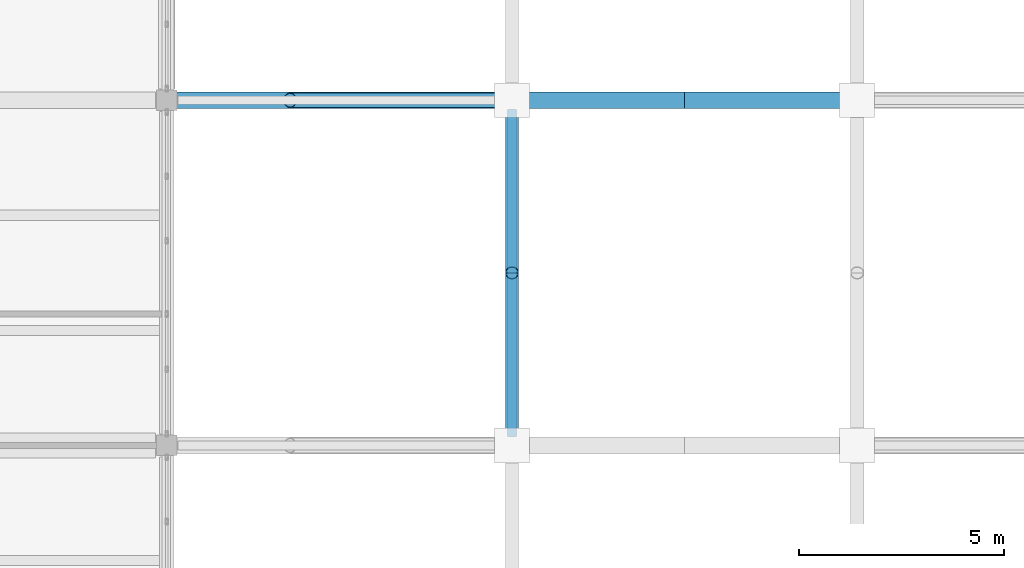
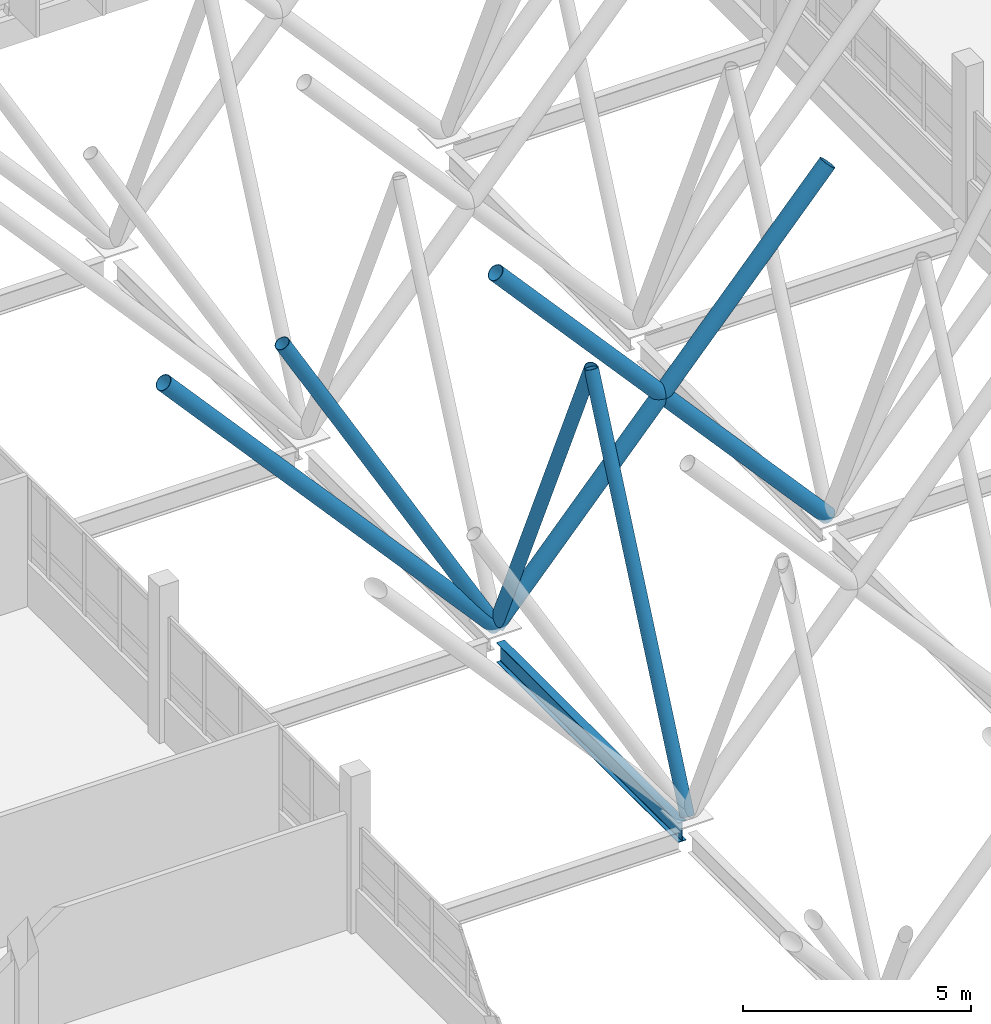
# One storey, part 25 of 107: 6 members, 1 beam.
"""IFC4 building model written with IfcOpenShell, lengths in metres."""

from ifc_helpers import new_model, si_unit, direction, frame, origin, origin_2d, place, context, subcontext, project, spatial, hollow_circle, i_section, extrude, material, material_profile, profile_set, type_object, element, save


model = new_model("IFC4")

# Units and contexts
model_context = context("Model", 3, precision=1e-05, world=origin(), true_north=direction((0.0, 1.0)))
body_context = subcontext(model_context, "Body", "Model", "MODEL_VIEW")
ifc_project = project(units=[si_unit("LENGTHUNIT", "METRE"), si_unit("AREAUNIT", "SQUARE_METRE"), si_unit("VOLUMEUNIT", "CUBIC_METRE"), si_unit("PLANEANGLEUNIT", "RADIAN"), si_unit("MASSUNIT", "GRAM", prefix="KILO")], contexts=[model_context])

# Site, building, storey
site_placement = place(None, origin())
site = spatial("IfcSite", under=ifc_project, at=site_placement, CompositionType="ELEMENT")
building_placement = place(site_placement, origin())
building = spatial("IfcBuilding", under=site, at=building_placement, Name="Vireocrest Preparatory School", CompositionType="ELEMENT")
storey_placement = place(building_placement, frame((0.0, 0.0, 13.199951171875)))
storey = spatial("IfcBuildingStorey", under=building, at=storey_placement, Name="L03", CompositionType="ELEMENT", Elevation=13.199951171875)

# Beam
ifc_material_1 = material(Name="Structural steel ASTM A992 Grade 50", Category="steel")
ifc_material_profile_1 = material_profile(ifc_material_1, i_section(OverallWidth=0.208984375, OverallDepth=0.532958984375, WebThickness=0.01025390625, FlangeThickness=0.015625, FilletRadius=0.014892578125, at=origin_2d()), Name="W21X62")
ifc_profile_set_1 = profile_set([ifc_material_profile_1], Name="Structural steel ASTM A992 Grade 50")
beam_type = type_object("IfcBeamType", Name="Court Tie Girder W21X62", PredefinedType="BEAM", material=ifc_profile_set_1)
beam_placement = place(storey_placement, frame((75.60009765625, 60.820068359375, -0.56640625), z_axis=(0.0, 1.0, 0.0), x_axis=(-1.0, 0.0, 0.0)))
element("IfcBeam", 1, at=beam_placement, inside=storey, type_object=beam_type, Name="Court Trunk Spine Girder SB5 W5 L03", PredefinedType="BEAM", context=body_context, shape_type="SweptSolid", body=[
    extrude(i_section(OverallWidth=0.208984375, OverallDepth=0.532958984375, WebThickness=0.01025390625, FlangeThickness=0.015625, FilletRadius=0.014892578125, at=origin_2d()), origin(), (0.0, 0.0, 1.0), 7.9599609375),
])

# Members
ifc_material_2 = material(Name="Painted white steel ASTM A500 Grade C", Category="steel")
ifc_material_profile_2 = material_profile(ifc_material_2, hollow_circle(Radius=0.161865234375, WallThickness=0.0126953125, at=origin_2d()), Name="HSS12.750X0.500")
ifc_profile_set_2 = profile_set([ifc_material_profile_2], Name="Painted white steel ASTM A500 Grade C")
member_type_1 = type_object("IfcMemberType", Name="White Steel Canopy Tie Strut HSS12.750X0.500", PredefinedType="USERDEFINED", material=ifc_profile_set_2)
for number, where, z_axis, x_axis, name in (
    (2, (75.60009765625, 60.60009765625, -0.0048828125), (0.0, 0.407216567456, 0.913331630455), (-1.0, 0.0, 0.0), "Longitudinal V-Strut VS2 W5-N"),
    (3, (75.60009765625, 69.0, -0.0048828125), (0.0, -0.407216567456, 0.913331630455), (1.0, 0.0, 0.0), "Longitudinal V-Strut VS2 W6-S"),
):
    element("IfcMember", number, at=place(storey_placement, frame(where, z_axis=z_axis, x_axis=x_axis)), inside=storey, type_object=member_type_1, Name=name, ObjectType="STRUT", PredefinedType="USERDEFINED", context=body_context, shape_type="SweptSolid", body=[
        extrude(hollow_circle(Radius=0.161865234375, WallThickness=0.0126953125, at=origin_2d()), origin(), (0.0, 0.0, 1.0), 10.313720703125),
    ])
ifc_material_profile_3 = material_profile(ifc_material_2, hollow_circle(Radius=0.177734375, WallThickness=0.0126953125, at=origin_2d()), Name="HSS14.000X0.500")
ifc_profile_set_3 = profile_set([ifc_material_profile_3], Name="Painted white steel ASTM A500 Grade C")
member_type_2 = type_object("IfcMemberType", Name="White Steel Canopy V-Strut HSS14.000X0.500", PredefinedType="USERDEFINED", material=ifc_profile_set_3)
member_placement = place(storey_placement, frame((75.60009765625, 69.0, -0.010009765625), z_axis=(-0.496934732374, 0.0, 0.867787918653), x_axis=(0.0, -1.0, 0.0)))
element("IfcMember", 4, at=member_placement, inside=storey, type_object=member_type_2, Name="White Steel V-Strut VS1 W6", ObjectType="STRUT", PredefinedType="USERDEFINED", context=body_context, shape_type="SweptSolid", body=[
    extrude(hollow_circle(Radius=0.177734375, WallThickness=0.0126953125, at=origin_2d()), origin(), (0.0, 0.0, 1.0), 10.866943359375),
])
ifc_material_profile_4 = material_profile(ifc_material_2, hollow_circle(Radius=0.203125, WallThickness=0.0126953125, at=origin_2d()), Name="HSS16.000X0.500")
ifc_profile_set_4 = profile_set([ifc_material_profile_4], Name="Painted white steel ASTM A500 Grade C")
member_type_3 = type_object("IfcMemberType", Name="White Steel V-Column Branch HSS16.000X0.500", PredefinedType="USERDEFINED", material=ifc_profile_set_4)
for number, where, z_axis, x_axis, name in (
    (5, (75.60009765625, 69.0, -0.010009765625), (-0.665149409377, 0.0, 0.746710294027), (0.0, -1.0, 0.0), "White Steel V-Column Branch VC3 W6-A1"),
    (6, (75.60009765625, 69.0, -0.010009765625), (0.665138630213, 0.0, 0.746719895676), (0.0, 1.0, 0.0), "White Steel V-Column Branch VC3 W6-A2"),
    (7, (84.0, 69.0, -0.010009765625), (-0.665138630213, 0.0, 0.746719895676), (0.0, -1.0, 0.0), "White Steel V-Column Branch VC3 E6-A1"),
):
    element("IfcMember", number, at=place(storey_placement, frame(where, z_axis=z_axis, x_axis=x_axis)), inside=storey, type_object=member_type_3, Name=name, ObjectType="STRUT", PredefinedType="USERDEFINED", context=body_context, shape_type="SweptSolid", body=[
        extrude(hollow_circle(Radius=0.203125, WallThickness=0.0126953125, at=origin_2d()), origin(), (0.0, 0.0, 1.0), 12.62890625),
    ])

save(model, "model.ifc")
